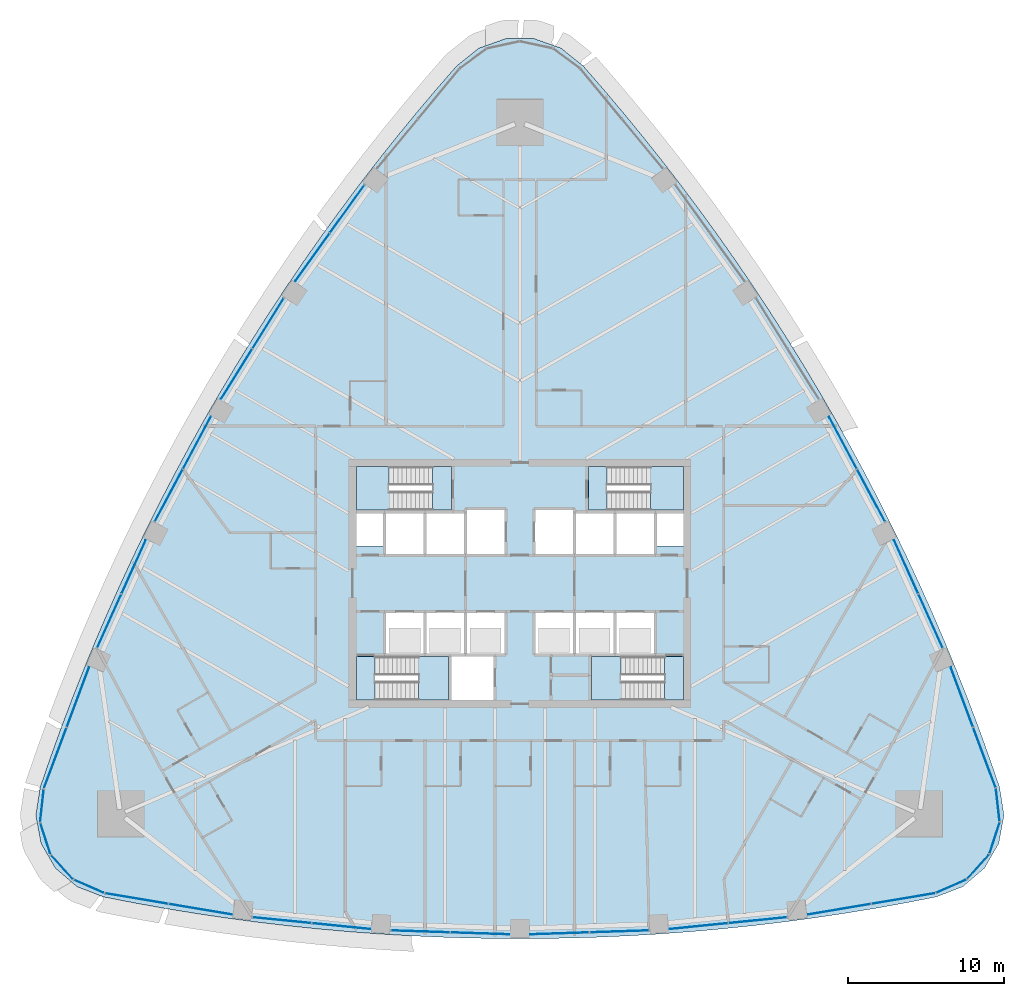
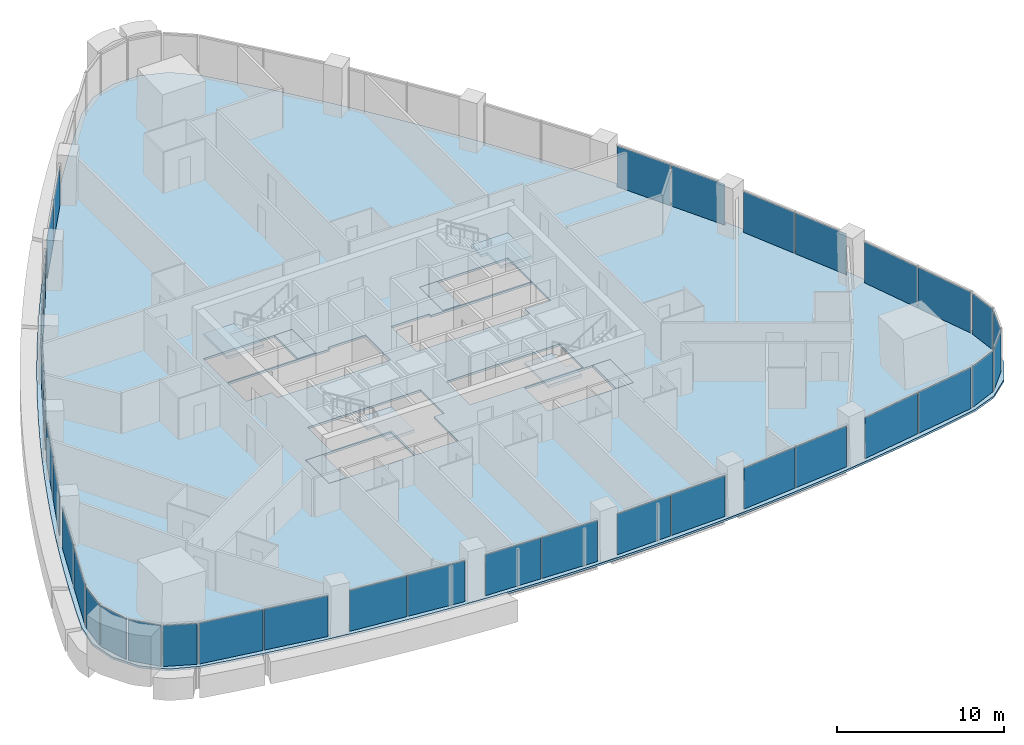
# One storey, part 8 of 17: 36 plates, 9 slabs, 26 elements without a shape of their own.
"""IFC4 building model written with IfcOpenShell, lengths in metres."""

from ifc_helpers import new_model, si_unit, direction, frame, origin, origin_2d, place, context, subcontext, project, spatial, polyline, rectangle, outline, extrude, material, layer, layer_set, type_object, element, aggregate, save


model = new_model("IFC4")

# Units and contexts
model_context = context("Model", 3, precision=1e-05, world=origin(), true_north=direction((0.0, 1.0)))
body_context = subcontext(model_context, "Body", "Model", "MODEL_VIEW")
ifc_project = project(units=[si_unit("LENGTHUNIT", "METRE"), si_unit("AREAUNIT", "SQUARE_METRE"), si_unit("VOLUMEUNIT", "CUBIC_METRE"), si_unit("PLANEANGLEUNIT", "RADIAN"), si_unit("MASSUNIT", "GRAM", prefix="KILO")], contexts=[model_context])

# Site, building, storey
site_placement = place(None, origin())
site = spatial("IfcSite", under=ifc_project, at=site_placement, CompositionType="ELEMENT")
building_placement = place(site_placement, origin())
building = spatial("IfcBuilding", under=site, at=building_placement, Name="Sierra Prisma Convention Tower", CompositionType="ELEMENT")
storey_placement = place(building_placement, frame((0.0, 0.0, 99.800048828125)))
storey = spatial("IfcBuildingStorey", under=building, at=storey_placement, Name="L21", CompositionType="ELEMENT", Elevation=99.800048828125)

# Curtain wall, plates
ifc_material_1 = material(Name="Aluminium and glass curtain wall", Category="aluminium")
ifc_layer_1 = layer(ifc_material_1, 0.179931640625)
ifc_layer_set_1 = layer_set([ifc_layer_1], Name="CW-1 Plain shaft curtain wall")
curtain_wall_type = type_object("IfcCurtainWallType", Name="CW-1 Plain shaft curtain wall", PredefinedType="NOTDEFINED", material=ifc_layer_set_1)
curtain_wall_1_placement = place(storey_placement, origin())
curtain_wall_1 = element("IfcCurtainWall", 1, at=curtain_wall_1_placement, inside=storey, type_object=curtain_wall_type, Name="CW-1 S1 L21", PredefinedType="NOTDEFINED")
ifc_material_2 = material(Name="Tinted glass bronze-grey IGU", Category="glass")
ifc_layer_2 = layer(ifc_material_2, 0.028076171875)
ifc_layer_set_2 = layer_set([ifc_layer_2], Name="CW-1 glass panel")
plate_type = type_object("IfcPlateType", Name="CW-1 glass panel", PredefinedType="CURTAIN_PANEL", material=ifc_layer_set_2)
plate_1_placement = place(storey_placement, frame((-24.610107421875, -20.239013671875, 0.0), z_axis=(0.0, 0.0, 1.0), x_axis=(0.986177280633, -0.165693606281, 0.0)))
plate_1 = element("IfcPlate", 2, at=plate_1_placement, type_object=plate_type, Name="CW-1 panel S1.1", PredefinedType="CURTAIN_PANEL", context=body_context, shape_type="SweptSolid", body=[
    extrude(rectangle(XDim=4.07177734375, YDim=0.028076171875, at=origin_2d()), origin(), (0.0, 0.0, 1.0), 2.97998046875),
])
plate_2_placement = place(storey_placement, frame((-20.525634765625, -20.925048828125, 0.0), z_axis=(0.0, 0.0, 1.0), x_axis=(0.986177280633, -0.165693606281, 0.0)))
plate_2 = element("IfcPlate", 3, at=plate_2_placement, type_object=plate_type, Name="CW-1 panel S1.2", PredefinedType="CURTAIN_PANEL", context=body_context, shape_type="SweptSolid", body=[
    extrude(rectangle(XDim=4.07177734375, YDim=0.028076171875, at=origin_2d()), origin(), (0.0, 0.0, 1.0), 2.97998046875),
])
aggregate(curtain_wall_1, [plate_1, plate_2])

curtain_wall_2_placement = place(storey_placement, origin())
curtain_wall_2 = element("IfcCurtainWall", 4, at=curtain_wall_2_placement, inside=storey, type_object=curtain_wall_type, Name="CW-1 S2 L21", PredefinedType="NOTDEFINED")
plate_3_placement = place(storey_placement, frame((-15.280517578125, -21.6318359375, 0.0), z_axis=(0.0, 0.0, 1.0), x_axis=(0.995016459317, -0.099710810289, 0.0)))
plate_3 = element("IfcPlate", 5, at=plate_3_placement, type_object=plate_type, Name="CW-1 panel S2.1", PredefinedType="CURTAIN_PANEL", context=body_context, shape_type="SweptSolid", body=[
    extrude(rectangle(XDim=3.7490234375, YDim=0.028076171875, at=origin_2d()), origin(), (0.0, 0.0, 1.0), 2.97998046875),
])
plate_4_placement = place(storey_placement, frame((-11.480224609375, -22.012451171875, 0.0), z_axis=(0.0, 0.0, 1.0), x_axis=(0.995016459317, -0.099710810289, 0.0)))
plate_4 = element("IfcPlate", 6, at=plate_4_placement, type_object=plate_type, Name="CW-1 panel S2.2", PredefinedType="CURTAIN_PANEL", context=body_context, shape_type="SweptSolid", body=[
    extrude(rectangle(XDim=3.7490234375, YDim=0.028076171875, at=origin_2d()), origin(), (0.0, 0.0, 1.0), 2.97998046875),
])
aggregate(curtain_wall_2, [plate_3, plate_4])

curtain_wall_3_placement = place(storey_placement, origin())
curtain_wall_3 = element("IfcCurtainWall", 7, at=curtain_wall_3_placement, inside=storey, type_object=curtain_wall_type, Name="CW-1 S3 L21", PredefinedType="NOTDEFINED")
plate_5_placement = place(storey_placement, frame((-6.384521484375, -22.3515625, 0.0), z_axis=(0.0, 0.0, 1.0), x_axis=(0.99944586391, -0.0332861099, 0.0)))
plate_5 = element("IfcPlate", 8, at=plate_5_placement, type_object=plate_type, Name="CW-1 panel S3.1", PredefinedType="CURTAIN_PANEL", context=body_context, shape_type="SweptSolid", body=[
    extrude(rectangle(XDim=3.765380859375, YDim=0.028076171875, at=origin_2d()), origin(), (0.0, 0.0, 1.0), 2.97998046875),
])
plate_6_placement = place(storey_placement, frame((-2.55126953125, -22.479248046875, 0.0), z_axis=(0.0, 0.0, 1.0), x_axis=(0.99944586391, -0.0332861099, 0.0)))
plate_6 = element("IfcPlate", 9, at=plate_6_placement, type_object=plate_type, Name="CW-1 panel S3.2", PredefinedType="CURTAIN_PANEL", context=body_context, shape_type="SweptSolid", body=[
    extrude(rectangle(XDim=3.765380859375, YDim=0.028076171875, at=origin_2d()), origin(), (0.0, 0.0, 1.0), 2.97998046875),
])
aggregate(curtain_wall_3, [plate_5, plate_6])

curtain_wall_4_placement = place(storey_placement, origin())
curtain_wall_4 = element("IfcCurtainWall", 10, at=curtain_wall_4_placement, inside=storey, type_object=curtain_wall_type, Name="CW-1 S4 L21", PredefinedType="NOTDEFINED")
plate_7_placement = place(storey_placement, frame((2.55126953125, -22.479248046875, 0.0), z_axis=(0.0, 0.0, 1.0), x_axis=(0.99944586391, 0.0332861099, 0.0)))
plate_7 = element("IfcPlate", 11, at=plate_7_placement, type_object=plate_type, Name="CW-1 panel S4.1", PredefinedType="CURTAIN_PANEL", context=body_context, shape_type="SweptSolid", body=[
    extrude(rectangle(XDim=3.765380859375, YDim=0.028076171875, at=origin_2d()), origin(), (0.0, 0.0, 1.0), 2.97998046875),
])
plate_8_placement = place(storey_placement, frame((6.384521484375, -22.3515625, 0.0), z_axis=(0.0, 0.0, 1.0), x_axis=(0.99944586391, 0.0332861099, 0.0)))
plate_8 = element("IfcPlate", 12, at=plate_8_placement, type_object=plate_type, Name="CW-1 panel S4.2", PredefinedType="CURTAIN_PANEL", context=body_context, shape_type="SweptSolid", body=[
    extrude(rectangle(XDim=3.765380859375, YDim=0.028076171875, at=origin_2d()), origin(), (0.0, 0.0, 1.0), 2.97998046875),
])
aggregate(curtain_wall_4, [plate_7, plate_8])

curtain_wall_5_placement = place(storey_placement, origin())
curtain_wall_5 = element("IfcCurtainWall", 13, at=curtain_wall_5_placement, inside=storey, type_object=curtain_wall_type, Name="CW-1 S5 L21", PredefinedType="NOTDEFINED")
plate_9_placement = place(storey_placement, frame((11.480224609375, -22.012451171875, 0.0), z_axis=(0.0, 0.0, 1.0), x_axis=(0.995016459317, 0.099710810289, 0.0)))
plate_9 = element("IfcPlate", 14, at=plate_9_placement, type_object=plate_type, Name="CW-1 panel S5.1", PredefinedType="CURTAIN_PANEL", context=body_context, shape_type="SweptSolid", body=[
    extrude(rectangle(XDim=3.7490234375, YDim=0.028076171875, at=origin_2d()), origin(), (0.0, 0.0, 1.0), 2.97998046875),
])
plate_10_placement = place(storey_placement, frame((15.280517578125, -21.6318359375, 0.0), z_axis=(0.0, 0.0, 1.0), x_axis=(0.995016459317, 0.099710810289, 0.0)))
plate_10 = element("IfcPlate", 15, at=plate_10_placement, type_object=plate_type, Name="CW-1 panel S5.2", PredefinedType="CURTAIN_PANEL", context=body_context, shape_type="SweptSolid", body=[
    extrude(rectangle(XDim=3.7490234375, YDim=0.028076171875, at=origin_2d()), origin(), (0.0, 0.0, 1.0), 2.97998046875),
])
aggregate(curtain_wall_5, [plate_9, plate_10])

curtain_wall_6_placement = place(storey_placement, origin())
curtain_wall_6 = element("IfcCurtainWall", 16, at=curtain_wall_6_placement, inside=storey, type_object=curtain_wall_type, Name="CW-1 S6 L21", PredefinedType="NOTDEFINED")
plate_11_placement = place(storey_placement, frame((20.525634765625, -20.925048828125, 0.0), z_axis=(0.0, 0.0, 1.0), x_axis=(0.986177280633, 0.165693606281, 0.0)))
plate_11 = element("IfcPlate", 17, at=plate_11_placement, type_object=plate_type, Name="CW-1 panel S6.1", PredefinedType="CURTAIN_PANEL", context=body_context, shape_type="SweptSolid", body=[
    extrude(rectangle(XDim=4.07177734375, YDim=0.028076171875, at=origin_2d()), origin(), (0.0, 0.0, 1.0), 2.97998046875),
])
plate_12_placement = place(storey_placement, frame((24.610107421875, -20.239013671875, 0.0), z_axis=(0.0, 0.0, 1.0), x_axis=(0.986177280633, 0.165693606281, 0.0)))
plate_12 = element("IfcPlate", 18, at=plate_12_placement, type_object=plate_type, Name="CW-1 panel S6.2", PredefinedType="CURTAIN_PANEL", context=body_context, shape_type="SweptSolid", body=[
    extrude(rectangle(XDim=4.07177734375, YDim=0.028076171875, at=origin_2d()), origin(), (0.0, 0.0, 1.0), 2.97998046875),
])
aggregate(curtain_wall_6, [plate_11, plate_12])

# Curtain wall, plate
curtain_wall_7_placement = place(storey_placement, origin())
curtain_wall_7 = element("IfcCurtainWall", 19, at=curtain_wall_7_placement, inside=storey, type_object=curtain_wall_type, Name="CW-1 SE1 L21", PredefinedType="NOTDEFINED")
plate_13_placement = place(storey_placement, frame((27.684814453125, -19.454345703125, 0.0), z_axis=(0.0, 0.0, 1.0), x_axis=(0.916476050643, 0.400089550724, 0.0)))
plate_13 = element("IfcPlate", 20, at=plate_13_placement, type_object=plate_type, Name="CW-1 panel SE1.1", PredefinedType="CURTAIN_PANEL", context=body_context, shape_type="SweptSolid", body=[
    extrude(rectangle(XDim=2.037841796875, YDim=0.028076171875, at=origin_2d()), origin(), (0.0, 0.0, 1.0), 2.97998046875),
])
aggregate(curtain_wall_7, [plate_13])

curtain_wall_8_placement = place(storey_placement, origin())
curtain_wall_8 = element("IfcCurtainWall", 21, at=curtain_wall_8_placement, inside=storey, type_object=curtain_wall_type, Name="CW-1 SE2 L21", PredefinedType="NOTDEFINED")
plate_14_placement = place(storey_placement, frame((29.413330078125, -18.211181640625, 0.0), z_axis=(0.0, 0.0, 1.0), x_axis=(0.670928159242, 0.741522356464, 0.0)))
plate_14 = element("IfcPlate", 22, at=plate_14_placement, type_object=plate_type, Name="CW-1 panel SE2.1", PredefinedType="CURTAIN_PANEL", context=body_context, shape_type="SweptSolid", body=[
    extrude(rectangle(XDim=2.037841796875, YDim=0.028076171875, at=origin_2d()), origin(), (0.0, 0.0, 1.0), 2.97998046875),
])
aggregate(curtain_wall_8, [plate_14])

curtain_wall_9_placement = place(storey_placement, origin())
curtain_wall_9 = element("IfcCurtainWall", 23, at=curtain_wall_9_placement, inside=storey, type_object=curtain_wall_type, Name="CW-1 SE3 L21", PredefinedType="NOTDEFINED")
plate_15_placement = place(storey_placement, frame((30.47802734375, -16.3671875, 0.0), z_axis=(0.0, 0.0, 1.0), x_axis=(0.306713118551, 0.95180200825, 0.0)))
plate_15 = element("IfcPlate", 24, at=plate_15_placement, type_object=plate_type, Name="CW-1 panel SE3.1", PredefinedType="CURTAIN_PANEL", context=body_context, shape_type="SweptSolid", body=[
    extrude(rectangle(XDim=2.037841796875, YDim=0.028076171875, at=origin_2d()), origin(), (0.0, 0.0, 1.0), 2.97998046875),
])
aggregate(curtain_wall_9, [plate_15])

curtain_wall_10_placement = place(storey_placement, origin())
curtain_wall_10 = element("IfcCurtainWall", 25, at=curtain_wall_10_placement, inside=storey, type_object=curtain_wall_type, Name="CW-1 SE4 L21", PredefinedType="NOTDEFINED")
plate_16_placement = place(storey_placement, frame((30.6904296875, -14.24853515625, 0.0), z_axis=(0.0, 0.0, 1.0), x_axis=(-0.111750310606, 0.993736317178, 0.0)))
plate_16 = element("IfcPlate", 26, at=plate_16_placement, type_object=plate_type, Name="CW-1 panel SE4.1", PredefinedType="CURTAIN_PANEL", context=body_context, shape_type="SweptSolid", body=[
    extrude(rectangle(XDim=2.037841796875, YDim=0.028076171875, at=origin_2d()), origin(), (0.0, 0.0, 1.0), 2.97998046875),
])
aggregate(curtain_wall_10, [plate_16])

# Curtain wall, plates
curtain_wall_11_placement = place(storey_placement, origin())
curtain_wall_11 = element("IfcCurtainWall", 27, at=curtain_wall_11_placement, inside=storey, type_object=curtain_wall_type, Name="CW-1 NE1 L21", PredefinedType="NOTDEFINED")
plate_17_placement = place(storey_placement, frame((29.83251953125, -11.193603515625, 0.0), z_axis=(0.0, 0.0, 1.0), x_axis=(-0.349593768032, 0.936901380804, 0.0)))
plate_17 = element("IfcPlate", 28, at=plate_17_placement, type_object=plate_type, Name="CW-1 panel NE1.1", PredefinedType="CURTAIN_PANEL", context=body_context, shape_type="SweptSolid", body=[
    extrude(rectangle(XDim=4.07177734375, YDim=0.028076171875, at=origin_2d()), origin(), (0.0, 0.0, 1.0), 2.97998046875),
])
plate_18_placement = place(storey_placement, frame((28.384521484375, -7.313232421875, 0.0), z_axis=(0.0, 0.0, 1.0), x_axis=(-0.349593768032, 0.936901380804, 0.0)))
plate_18 = element("IfcPlate", 29, at=plate_18_placement, type_object=plate_type, Name="CW-1 panel NE1.2", PredefinedType="CURTAIN_PANEL", context=body_context, shape_type="SweptSolid", body=[
    extrude(rectangle(XDim=4.07177734375, YDim=0.028076171875, at=origin_2d()), origin(), (0.0, 0.0, 1.0), 2.97998046875),
])
aggregate(curtain_wall_11, [plate_17, plate_18])

curtain_wall_12_placement = place(storey_placement, origin())
curtain_wall_12 = element("IfcCurtainWall", 30, at=curtain_wall_12_placement, inside=storey, type_object=curtain_wall_type, Name="CW-1 NE2 L21", PredefinedType="NOTDEFINED")
plate_19_placement = place(storey_placement, frame((26.373779296875, -2.41748046875, 0.0), z_axis=(0.0, 0.0, 1.0), x_axis=(-0.411156134916, 0.911564936097, 0.0)))
plate_19 = element("IfcPlate", 31, at=plate_19_placement, type_object=plate_type, Name="CW-1 panel NE2.1", PredefinedType="CURTAIN_PANEL", context=body_context, shape_type="SweptSolid", body=[
    extrude(rectangle(XDim=3.749267578125, YDim=0.028076171875, at=origin_2d()), origin(), (0.0, 0.0, 1.0), 2.97998046875),
])
plate_20_placement = place(storey_placement, frame((24.8037109375, 1.06396484375, 0.0), z_axis=(0.0, 0.0, 1.0), x_axis=(-0.411156134916, 0.911564936097, 0.0)))
plate_20 = element("IfcPlate", 32, at=plate_20_placement, type_object=plate_type, Name="CW-1 panel NE2.2", PredefinedType="CURTAIN_PANEL", context=body_context, shape_type="SweptSolid", body=[
    extrude(rectangle(XDim=3.749267578125, YDim=0.028076171875, at=origin_2d()), origin(), (0.0, 0.0, 1.0), 2.97998046875),
])
aggregate(curtain_wall_12, [plate_19, plate_20])

curtain_wall_13_placement = place(storey_placement, origin())
curtain_wall_13 = element("IfcCurtainWall", 33, at=curtain_wall_13_placement, inside=storey, type_object=curtain_wall_type, Name="CW-1 NE3 L21", PredefinedType="NOTDEFINED")
plate_21_placement = place(storey_placement, frame((22.54931640625, 5.646728515625, 0.0), z_axis=(0.0, 0.0, 1.0), x_axis=(-0.470896315189, 0.882188562804, 0.0)))
plate_21 = element("IfcPlate", 34, at=plate_21_placement, type_object=plate_type, Name="CW-1 panel NE3.1", PredefinedType="CURTAIN_PANEL", context=body_context, shape_type="SweptSolid", body=[
    extrude(rectangle(XDim=3.765380859375, YDim=0.028076171875, at=origin_2d()), origin(), (0.0, 0.0, 1.0), 2.97998046875),
])
plate_22_placement = place(storey_placement, frame((20.743408203125, 9.0302734375, 0.0), z_axis=(0.0, 0.0, 1.0), x_axis=(-0.470896315189, 0.882188562804, 0.0)))
plate_22 = element("IfcPlate", 35, at=plate_22_placement, type_object=plate_type, Name="CW-1 panel NE3.2", PredefinedType="CURTAIN_PANEL", context=body_context, shape_type="SweptSolid", body=[
    extrude(rectangle(XDim=3.765380859375, YDim=0.028076171875, at=origin_2d()), origin(), (0.0, 0.0, 1.0), 2.97998046875),
])
aggregate(curtain_wall_13, [plate_21, plate_22])

curtain_wall_14_placement = place(storey_placement, origin())
curtain_wall_14 = element("IfcCurtainWall", 36, at=curtain_wall_14_placement, inside=storey, type_object=curtain_wall_type, Name="CW-1 NW2 L21", PredefinedType="NOTDEFINED")
plate_23_placement = place(storey_placement, frame((-11.093505859375, 24.049072265625, 0.0), z_axis=(0.0, 0.0, 1.0), x_axis=(-0.583860324401, -0.811854125808, 0.0)))
plate_23 = element("IfcPlate", 37, at=plate_23_placement, type_object=plate_type, Name="CW-1 panel NW2.1", PredefinedType="CURTAIN_PANEL", context=body_context, shape_type="SweptSolid", body=[
    extrude(rectangle(XDim=3.7490234375, YDim=0.028076171875, at=origin_2d()), origin(), (0.0, 0.0, 1.0), 2.97998046875),
])
plate_24_placement = place(storey_placement, frame((-13.3232421875, 20.948486328125, 0.0), z_axis=(0.0, 0.0, 1.0), x_axis=(-0.583860324401, -0.811854125808, 0.0)))
plate_24 = element("IfcPlate", 38, at=plate_24_placement, type_object=plate_type, Name="CW-1 panel NW2.2", PredefinedType="CURTAIN_PANEL", context=body_context, shape_type="SweptSolid", body=[
    extrude(rectangle(XDim=3.7490234375, YDim=0.028076171875, at=origin_2d()), origin(), (0.0, 0.0, 1.0), 2.97998046875),
])
aggregate(curtain_wall_14, [plate_23, plate_24])

curtain_wall_15_placement = place(storey_placement, origin())
curtain_wall_15 = element("IfcCurtainWall", 39, at=curtain_wall_15_placement, inside=storey, type_object=curtain_wall_type, Name="CW-1 NW3 L21", PredefinedType="NOTDEFINED")
plate_25_placement = place(storey_placement, frame((-16.1650390625, 16.704833984375, 0.0), z_axis=(0.0, 0.0, 1.0), x_axis=(-0.528549548722, -0.848902452904, 0.0)))
plate_25 = element("IfcPlate", 40, at=plate_25_placement, type_object=plate_type, Name="CW-1 panel NW3.1", PredefinedType="CURTAIN_PANEL", context=body_context, shape_type="SweptSolid", body=[
    extrude(rectangle(XDim=3.765380859375, YDim=0.028076171875, at=origin_2d()), origin(), (0.0, 0.0, 1.0), 2.97998046875),
])
plate_26_placement = place(storey_placement, frame((-18.192138671875, 13.448974609375, 0.0), z_axis=(0.0, 0.0, 1.0), x_axis=(-0.528549548722, -0.848902452904, 0.0)))
plate_26 = element("IfcPlate", 41, at=plate_26_placement, type_object=plate_type, Name="CW-1 panel NW3.2", PredefinedType="CURTAIN_PANEL", context=body_context, shape_type="SweptSolid", body=[
    extrude(rectangle(XDim=3.765380859375, YDim=0.028076171875, at=origin_2d()), origin(), (0.0, 0.0, 1.0), 2.97998046875),
])
aggregate(curtain_wall_15, [plate_25, plate_26])

curtain_wall_16_placement = place(storey_placement, origin())
curtain_wall_16 = element("IfcCurtainWall", 42, at=curtain_wall_16_placement, inside=storey, type_object=curtain_wall_type, Name="CW-1 NW4 L21", PredefinedType="NOTDEFINED")
plate_27_placement = place(storey_placement, frame((-20.7431640625, 9.0302734375, 0.0), z_axis=(0.0, 0.0, 1.0), x_axis=(-0.470896315189, -0.882188562804, 0.0)))
plate_27 = element("IfcPlate", 43, at=plate_27_placement, type_object=plate_type, Name="CW-1 panel NW4.1", PredefinedType="CURTAIN_PANEL", context=body_context, shape_type="SweptSolid", body=[
    extrude(rectangle(XDim=3.765380859375, YDim=0.028076171875, at=origin_2d()), origin(), (0.0, 0.0, 1.0), 2.97998046875),
])
plate_28_placement = place(storey_placement, frame((-22.54931640625, 5.646728515625, 0.0), z_axis=(0.0, 0.0, 1.0), x_axis=(-0.470896315189, -0.882188562804, 0.0)))
plate_28 = element("IfcPlate", 44, at=plate_28_placement, type_object=plate_type, Name="CW-1 panel NW4.2", PredefinedType="CURTAIN_PANEL", context=body_context, shape_type="SweptSolid", body=[
    extrude(rectangle(XDim=3.765380859375, YDim=0.028076171875, at=origin_2d()), origin(), (0.0, 0.0, 1.0), 2.97998046875),
])
aggregate(curtain_wall_16, [plate_27, plate_28])

curtain_wall_17_placement = place(storey_placement, origin())
curtain_wall_17 = element("IfcCurtainWall", 45, at=curtain_wall_17_placement, inside=storey, type_object=curtain_wall_type, Name="CW-1 NW5 L21", PredefinedType="NOTDEFINED")
plate_29_placement = place(storey_placement, frame((-24.803466796875, 1.06396484375, 0.0), z_axis=(0.0, 0.0, 1.0), x_axis=(-0.411156134916, -0.911564936097, 0.0)))
plate_29 = element("IfcPlate", 46, at=plate_29_placement, type_object=plate_type, Name="CW-1 panel NW5.1", PredefinedType="CURTAIN_PANEL", context=body_context, shape_type="SweptSolid", body=[
    extrude(rectangle(XDim=3.7490234375, YDim=0.028076171875, at=origin_2d()), origin(), (0.0, 0.0, 1.0), 2.97998046875),
])
plate_30_placement = place(storey_placement, frame((-26.373779296875, -2.417236328125, 0.0), z_axis=(0.0, 0.0, 1.0), x_axis=(-0.411156134916, -0.911564936097, 0.0)))
plate_30 = element("IfcPlate", 47, at=plate_30_placement, type_object=plate_type, Name="CW-1 panel NW5.2", PredefinedType="CURTAIN_PANEL", context=body_context, shape_type="SweptSolid", body=[
    extrude(rectangle(XDim=3.7490234375, YDim=0.028076171875, at=origin_2d()), origin(), (0.0, 0.0, 1.0), 2.97998046875),
])
aggregate(curtain_wall_17, [plate_29, plate_30])

curtain_wall_18_placement = place(storey_placement, origin())
curtain_wall_18 = element("IfcCurtainWall", 48, at=curtain_wall_18_placement, inside=storey, type_object=curtain_wall_type, Name="CW-1 NW6 L21", PredefinedType="NOTDEFINED")
plate_31_placement = place(storey_placement, frame((-28.384521484375, -7.313232421875, 0.0), z_axis=(0.0, 0.0, 1.0), x_axis=(-0.349593768032, -0.936901380804, 0.0)))
plate_31 = element("IfcPlate", 49, at=plate_31_placement, type_object=plate_type, Name="CW-1 panel NW6.1", PredefinedType="CURTAIN_PANEL", context=body_context, shape_type="SweptSolid", body=[
    extrude(rectangle(XDim=4.07177734375, YDim=0.028076171875, at=origin_2d()), origin(), (0.0, 0.0, 1.0), 2.97998046875),
])
plate_32_placement = place(storey_placement, frame((-29.83251953125, -11.193603515625, 0.0), z_axis=(0.0, 0.0, 1.0), x_axis=(-0.349593768032, -0.936901380804, 0.0)))
plate_32 = element("IfcPlate", 50, at=plate_32_placement, type_object=plate_type, Name="CW-1 panel NW6.2", PredefinedType="CURTAIN_PANEL", context=body_context, shape_type="SweptSolid", body=[
    extrude(rectangle(XDim=4.07177734375, YDim=0.028076171875, at=origin_2d()), origin(), (0.0, 0.0, 1.0), 2.97998046875),
])
aggregate(curtain_wall_18, [plate_31, plate_32])

# Curtain wall, plate
curtain_wall_19_placement = place(storey_placement, origin())
curtain_wall_19 = element("IfcCurtainWall", 51, at=curtain_wall_19_placement, inside=storey, type_object=curtain_wall_type, Name="CW-1 SW1 L21", PredefinedType="NOTDEFINED")
plate_33_placement = place(storey_placement, frame((-30.6904296875, -14.24853515625, 0.0), z_axis=(0.0, 0.0, 1.0), x_axis=(-0.111750310606, -0.993736317178, 0.0)))
plate_33 = element("IfcPlate", 52, at=plate_33_placement, type_object=plate_type, Name="CW-1 panel SW1.1", PredefinedType="CURTAIN_PANEL", context=body_context, shape_type="SweptSolid", body=[
    extrude(rectangle(XDim=2.037841796875, YDim=0.028076171875, at=origin_2d()), origin(), (0.0, 0.0, 1.0), 2.97998046875),
])
aggregate(curtain_wall_19, [plate_33])

curtain_wall_20_placement = place(storey_placement, origin())
curtain_wall_20 = element("IfcCurtainWall", 53, at=curtain_wall_20_placement, inside=storey, type_object=curtain_wall_type, Name="CW-1 SW2 L21", PredefinedType="NOTDEFINED")
plate_34_placement = place(storey_placement, frame((-30.47802734375, -16.3671875, 0.0), z_axis=(0.0, 0.0, 1.0), x_axis=(0.306713118551, -0.95180200825, 0.0)))
plate_34 = element("IfcPlate", 54, at=plate_34_placement, type_object=plate_type, Name="CW-1 panel SW2.1", PredefinedType="CURTAIN_PANEL", context=body_context, shape_type="SweptSolid", body=[
    extrude(rectangle(XDim=2.037841796875, YDim=0.028076171875, at=origin_2d()), origin(), (0.0, 0.0, 1.0), 2.97998046875),
])
aggregate(curtain_wall_20, [plate_34])

curtain_wall_21_placement = place(storey_placement, origin())
curtain_wall_21 = element("IfcCurtainWall", 55, at=curtain_wall_21_placement, inside=storey, type_object=curtain_wall_type, Name="CW-1 SW3 L21", PredefinedType="NOTDEFINED")
plate_35_placement = place(storey_placement, frame((-29.413330078125, -18.211181640625, 0.0), z_axis=(0.0, 0.0, 1.0), x_axis=(0.670928159242, -0.741522356464, 0.0)))
plate_35 = element("IfcPlate", 56, at=plate_35_placement, type_object=plate_type, Name="CW-1 panel SW3.1", PredefinedType="CURTAIN_PANEL", context=body_context, shape_type="SweptSolid", body=[
    extrude(rectangle(XDim=2.037841796875, YDim=0.028076171875, at=origin_2d()), origin(), (0.0, 0.0, 1.0), 2.97998046875),
])
aggregate(curtain_wall_21, [plate_35])

curtain_wall_22_placement = place(storey_placement, origin())
curtain_wall_22 = element("IfcCurtainWall", 57, at=curtain_wall_22_placement, inside=storey, type_object=curtain_wall_type, Name="CW-1 SW4 L21", PredefinedType="NOTDEFINED")
plate_36_placement = place(storey_placement, frame((-27.684814453125, -19.454345703125, 0.0), z_axis=(0.0, 0.0, 1.0), x_axis=(0.916476050643, -0.400089550724, 0.0)))
plate_36 = element("IfcPlate", 58, at=plate_36_placement, type_object=plate_type, Name="CW-1 panel SW4.1", PredefinedType="CURTAIN_PANEL", context=body_context, shape_type="SweptSolid", body=[
    extrude(rectangle(XDim=2.037841796875, YDim=0.028076171875, at=origin_2d()), origin(), (0.0, 0.0, 1.0), 2.97998046875),
])
aggregate(curtain_wall_22, [plate_36])

# Slab
ifc_material_3 = material(Name="Concrete C35/45", Category="concrete")
ifc_layer_3 = layer(ifc_material_3, 0.14990234375)
ifc_layer_set_3 = layer_set([ifc_layer_3], Name="Composite floor slab 150")
slab_type_1 = type_object("IfcSlabType", Name="Composite floor slab 150", PredefinedType="FLOOR", material=ifc_layer_set_3)
slab_1_placement = place(storey_placement, frame((0.0, 0.0, -0.150146484375)))
element("IfcSlab", 59, at=slab_1_placement, inside=storey, type_object=slab_type_1, Name="Floor slab L21 floor", PredefinedType="FLOOR", context=body_context, shape_type="SweptSolid", body=[
    extrude(outline(polyline([(-26.736572265625, -20.135009765625), (-24.779541015625, -20.51611328125), (-22.817138671875, -20.868408203125), (-20.849853515625, -21.19140625), (-18.8779296875, -21.4853515625), (-16.90185546875, -21.75), (-14.922119140625, -21.9853515625), (-12.939208984375, -22.191650390625), (-10.953369140625, -22.368408203125), (-8.965087890625, -22.515625), (-6.974853515625, -22.633544921875), (-4.983154296875, -22.72216796875), (-2.990234375, -22.781005859375), (-0.996826171875, -22.810546875), (0.996826171875, -22.810546875), (2.990234375, -22.781005859375), (4.983154296875, -22.72216796875), (6.974853515625, -22.633544921875), (8.965087890625, -22.515625), (10.953369140625, -22.368408203125), (12.939208984375, -22.191650390625), (14.922119140625, -21.9853515625), (16.90185546875, -21.75), (18.8779296875, -21.4853515625), (20.849853515625, -21.19140625), (22.817138671875, -20.868408203125), (24.779541015625, -20.51611328125), (26.736572265625, -20.135009765625), (28.4443359375, -19.47412109375), (29.83544921875, -18.28271484375), (30.7509765625, -16.69677734375), (31.087158203125, -14.896484375), (30.8056640625, -13.0869140625), (30.1572265625, -11.20166015625), (29.48095703125, -9.326171875), (28.777099609375, -7.4609375), (28.045654296875, -5.606201171875), (27.287109375, -3.762451171875), (26.5009765625, -1.93017578125), (25.68798828125, -0.10986328125), (24.84814453125, 1.6982421875), (23.981689453125, 3.493896484375), (23.088623046875, 5.2763671875), (22.16943359375, 7.04541015625), (21.22412109375, 8.80078125), (20.2529296875, 10.5419921875), (19.256103515625, 12.2685546875), (18.23388671875, 13.980224609375), (17.186279296875, 15.676513671875), (16.11376953125, 17.357177734375), (15.0166015625, 19.021728515625), (13.89501953125, 20.669921875), (12.748779296875, 22.301513671875), (11.578857421875, 23.915771484375), (10.385009765625, 25.512451171875), (9.167724609375, 27.09130859375), (7.92724609375, 28.652099609375), (6.663818359375, 30.1943359375), (5.377685546875, 31.7177734375), (4.069091796875, 33.221923828125), (2.642822265625, 34.37060546875), (0.915771484375, 34.9794921875), (-0.915771484375, 34.9794921875), (-2.642822265625, 34.37060546875), (-4.069091796875, 33.221923828125), (-5.377685546875, 31.7177734375), (-6.663818359375, 30.1943359375), (-7.92724609375, 28.652099609375), (-9.167724609375, 27.09130859375), (-10.385009765625, 25.512451171875), (-11.578857421875, 23.915771484375), (-12.748779296875, 22.301513671875), (-13.89501953125, 20.669921875), (-15.0166015625, 19.021728515625), (-16.11376953125, 17.357177734375), (-17.186279296875, 15.676513671875), (-18.23388671875, 13.980224609375), (-19.256103515625, 12.2685546875), (-20.2529296875, 10.5419921875), (-21.22412109375, 8.80078125), (-22.16943359375, 7.04541015625), (-23.088623046875, 5.2763671875), (-23.981689453125, 3.493896484375), (-24.84814453125, 1.6982421875), (-25.68798828125, -0.10986328125), (-26.5009765625, -1.93017578125), (-27.287109375, -3.762451171875), (-28.045654296875, -5.606201171875), (-28.777099609375, -7.4609375), (-29.48095703125, -9.326171875), (-30.1572265625, -11.20166015625), (-30.8056640625, -13.0869140625), (-31.087158203125, -14.896484375), (-30.7509765625, -16.69677734375), (-29.83544921875, -18.28271484375), (-28.4443359375, -19.47412109375), (-26.736572265625, -20.135009765625)]), holes=[polyline([(-4.60009765625, -7.5), (-10.5, -7.5), (-10.5, -4.699951171875), (-4.60009765625, -4.699951171875), (-4.60009765625, -7.5)]), polyline([(-8.699951171875, -4.60009765625), (-8.699951171875, -1.800048828125), (-6.10009765625, -1.800048828125), (-3.5, -1.800048828125), (-0.89990234375, -1.800048828125), (-0.89990234375, -4.60009765625), (-1.60009765625, -4.60009765625), (-1.60009765625, -7.5), (-4.5, -7.5), (-4.5, -4.60009765625), (-6.10009765625, -4.60009765625), (-8.699951171875, -4.60009765625)]), polyline([(-10.5, 4.60009765625), (-8.699951171875, 4.60009765625), (-6.10009765625, 4.60009765625), (-3.5, 4.60009765625), (-3.5, 4.800048828125), (-0.89990234375, 4.800048828125), (-0.89990234375, 1.800048828125), (-3.5, 1.800048828125), (-6.10009765625, 1.800048828125), (-8.699951171875, 1.800048828125), (-8.699951171875, 2.39990234375), (-10.5, 2.39990234375), (-10.5, 4.60009765625)]), polyline([(-4.39990234375, 4.699951171875), (-10.5, 4.699951171875), (-10.5, 7.5), (-4.39990234375, 7.5), (-4.39990234375, 4.699951171875)]), polyline([(10.5, -7.5), (4.60009765625, -7.5), (4.60009765625, -4.699951171875), (10.5, -4.699951171875), (10.5, -7.5)]), polyline([(6.10009765625, -1.800048828125), (8.699951171875, -1.800048828125), (8.699951171875, -4.60009765625), (6.10009765625, -4.60009765625), (3.5, -4.60009765625), (0.89990234375, -4.60009765625), (0.89990234375, -1.800048828125), (3.5, -1.800048828125), (6.10009765625, -1.800048828125)]), polyline([(10.5, 4.60009765625), (10.5, 2.39990234375), (8.699951171875, 2.39990234375), (8.699951171875, 1.800048828125), (6.10009765625, 1.800048828125), (3.5, 1.800048828125), (0.89990234375, 1.800048828125), (0.89990234375, 4.800048828125), (3.5, 4.800048828125), (3.5, 4.60009765625), (6.10009765625, 4.60009765625), (8.699951171875, 4.60009765625), (10.5, 4.60009765625)]), polyline([(4.39990234375, 4.699951171875), (4.39990234375, 7.5), (10.5, 7.5), (10.5, 4.699951171875), (4.39990234375, 4.699951171875)])]), origin(), (0.0, 0.0, 1.0), 0.150146484375),
])

# Stair, slab
ifc_material_4 = material(Name="Concrete C30/37", Category="concrete")
stair_type = type_object("IfcStairType", Name="Stair dog-leg 1200 RC", PredefinedType="HALF_TURN_STAIR", material=ifc_material_4)
stair_1_placement = place(storey_placement, origin())
stair_1 = element("IfcStair", 60, at=stair_1_placement, inside=storey, type_object=stair_type, Name="L21 S1", PredefinedType="HALF_TURN_STAIR")
ifc_material_5 = material(Name="Concrete C35/45", Category="concrete")
ifc_layer_4 = layer(ifc_material_5, 0.199951171875)
ifc_layer_set_4 = layer_set([ifc_layer_4], Name="Stair landing slab")
slab_type_2 = type_object("IfcSlabType", Name="Stair landing slab", PredefinedType="LANDING", material=ifc_layer_set_4)
slab_2_placement = place(storey_placement, frame((0.0, 0.0, 1.64990234375)))
slab_2 = element("IfcSlab", 61, at=slab_2_placement, type_object=slab_type_2, Name="S1 landing 1", PredefinedType="LANDING", context=body_context, shape_type="SweptSolid", body=[
    extrude(outline(polyline([(-4.60009765625, -4.699951171875), (-4.60009765625, -7.5), (-6.501953125, -7.5), (-6.501953125, -5.89990234375), (-6.949951171875, -5.89990234375), (-6.949951171875, -4.699951171875), (-4.60009765625, -4.699951171875)])), origin(), (0.0, 0.0, 1.0), 0.199951171875),
])
aggregate(stair_1, [slab_2])

# Slab
slab_3_placement = place(storey_placement, frame((0.0, 0.0, -0.199951171875)))
element("IfcSlab", 62, at=slab_3_placement, inside=storey, type_object=slab_type_2, Name="S1 floor landing L21", PredefinedType="LANDING", context=body_context, shape_type="SweptSolid", body=[
    extrude(outline(polyline([(-10.5, -7.5), (-9.298095703125, -7.5), (-9.298095703125, -4.699951171875), (-10.5, -4.699951171875), (-10.5, -7.5)])), origin(), (0.0, 0.0, 1.0), 0.199951171875),
])

# Stair, slab
stair_2_placement = place(storey_placement, origin())
stair_2 = element("IfcStair", 63, at=stair_2_placement, inside=storey, type_object=stair_type, Name="L21 S2", PredefinedType="HALF_TURN_STAIR")
slab_4_placement = place(storey_placement, frame((0.0, 0.0, 1.64990234375)))
slab_4 = element("IfcSlab", 64, at=slab_4_placement, type_object=slab_type_2, Name="S2 landing 1", PredefinedType="LANDING", context=body_context, shape_type="SweptSolid", body=[
    extrude(outline(polyline([(6.949951171875, -6.300048828125), (6.949951171875, -7.5), (4.60009765625, -7.5), (4.60009765625, -4.699951171875), (6.501953125, -4.699951171875), (6.501953125, -6.300048828125), (6.949951171875, -6.300048828125)])), origin(), (0.0, 0.0, 1.0), 0.199951171875),
])
aggregate(stair_2, [slab_4])

# Slab
slab_5_placement = place(storey_placement, frame((0.0, 0.0, -0.199951171875)))
element("IfcSlab", 65, at=slab_5_placement, inside=storey, type_object=slab_type_2, Name="S2 floor landing L21", PredefinedType="LANDING", context=body_context, shape_type="SweptSolid", body=[
    extrude(outline(polyline([(10.5, -4.699951171875), (9.298095703125, -4.699951171875), (9.298095703125, -7.5), (10.5, -7.5), (10.5, -4.699951171875)])), origin(), (0.0, 0.0, 1.0), 0.199951171875),
])

# Stair, slab
stair_3_placement = place(storey_placement, origin())
stair_3 = element("IfcStair", 66, at=stair_3_placement, inside=storey, type_object=stair_type, Name="L21 S3", PredefinedType="HALF_TURN_STAIR")
slab_6_placement = place(storey_placement, frame((0.0, 0.0, 1.64990234375)))
slab_6 = element("IfcSlab", 67, at=slab_6_placement, type_object=slab_type_2, Name="S3 landing 1", PredefinedType="LANDING", context=body_context, shape_type="SweptSolid", body=[
    extrude(outline(polyline([(-7.949951171875, 5.89990234375), (-7.949951171875, 4.699951171875), (-10.5, 4.699951171875), (-10.5, 7.5), (-8.39794921875, 7.5), (-8.39794921875, 5.89990234375), (-7.949951171875, 5.89990234375)])), origin(), (0.0, 0.0, 1.0), 0.199951171875),
])
aggregate(stair_3, [slab_6])

# Slab
slab_7_placement = place(storey_placement, frame((0.0, 0.0, -0.199951171875)))
element("IfcSlab", 68, at=slab_7_placement, inside=storey, type_object=slab_type_2, Name="S3 floor landing L21", PredefinedType="LANDING", context=body_context, shape_type="SweptSolid", body=[
    extrude(outline(polyline([(-4.39990234375, 7.5), (-5.60205078125, 7.5), (-5.60205078125, 4.699951171875), (-4.39990234375, 4.699951171875), (-4.39990234375, 7.5)])), origin(), (0.0, 0.0, 1.0), 0.199951171875),
])

# Stair, slab
stair_4_placement = place(storey_placement, origin())
stair_4 = element("IfcStair", 69, at=stair_4_placement, inside=storey, type_object=stair_type, Name="L21 S4", PredefinedType="HALF_TURN_STAIR")
slab_8_placement = place(storey_placement, frame((0.0, 0.0, 1.64990234375)))
slab_8 = element("IfcSlab", 70, at=slab_8_placement, type_object=slab_type_2, Name="S4 landing 1", PredefinedType="LANDING", context=body_context, shape_type="SweptSolid", body=[
    extrude(outline(polyline([(10.5, 7.5), (10.5, 4.699951171875), (8.39794921875, 4.699951171875), (8.39794921875, 6.300048828125), (7.949951171875, 6.300048828125), (7.949951171875, 7.5), (10.5, 7.5)])), origin(), (0.0, 0.0, 1.0), 0.199951171875),
])
aggregate(stair_4, [slab_8])

# Slab
slab_9_placement = place(storey_placement, frame((0.0, 0.0, -0.199951171875)))
element("IfcSlab", 71, at=slab_9_placement, inside=storey, type_object=slab_type_2, Name="S4 floor landing L21", PredefinedType="LANDING", context=body_context, shape_type="SweptSolid", body=[
    extrude(outline(polyline([(4.39990234375, 4.699951171875), (5.60205078125, 4.699951171875), (5.60205078125, 7.5), (4.39990234375, 7.5), (4.39990234375, 4.699951171875)])), origin(), (0.0, 0.0, 1.0), 0.199951171875),
])

save(model, "model.ifc")
